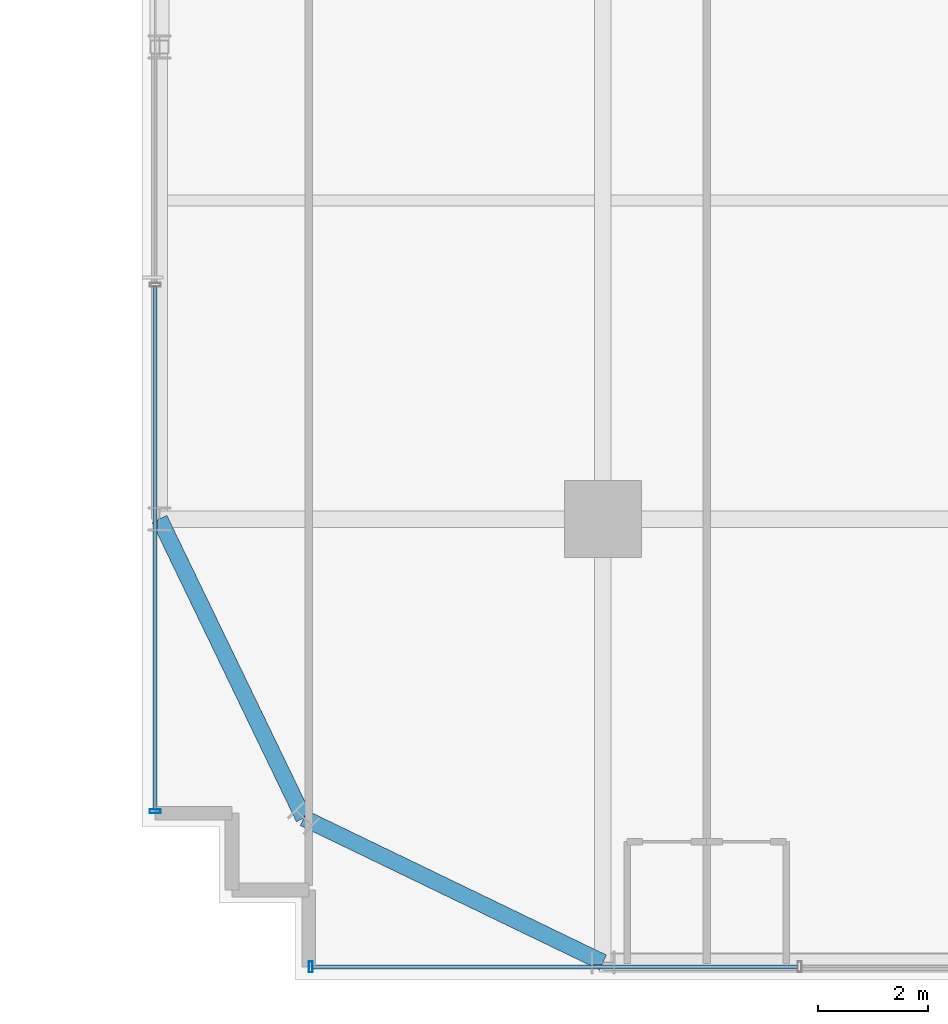
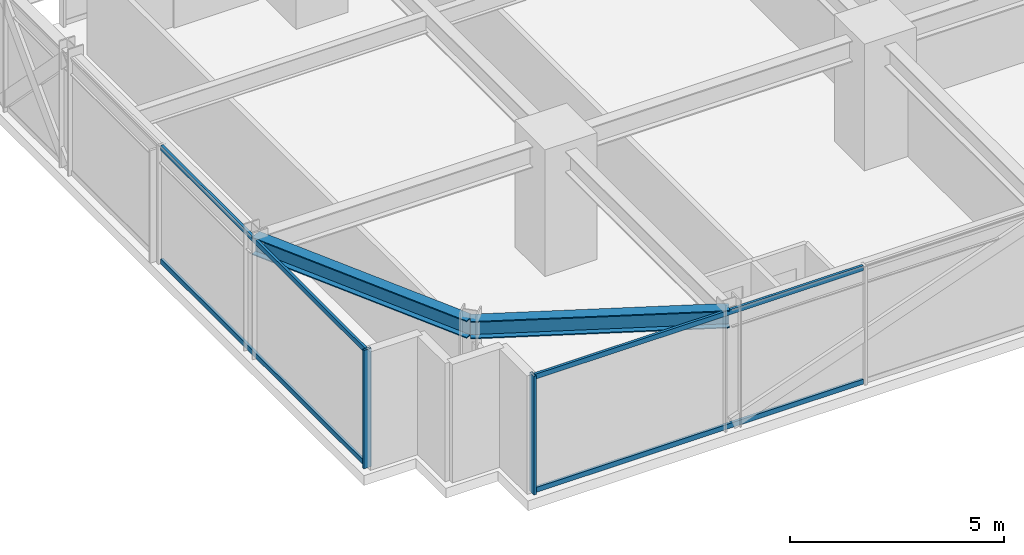
# One storey, part 3 of 42: 6 members, 2 beams, 2 elements without a shape of their own.
"""IFC4 building model written with IfcOpenShell, lengths in metres."""

import ifcopenshell
import ifcopenshell.guid

model = None  # the IFC model being written
_history = None  # IfcOwnerHistory: only IFC2X3 demands one
_inside = {}  # id of a spatial element -> (the spatial element, [elements in it])
_under = {}  # id of a project, library or spatial element -> (it, [spatial elements below it])
_declared = {}  # id of a project -> (the project, [libraries it declares])
_typed = {}  # id of a type object -> (the type object, [elements of that type])
_made_of = {}  # id of a material, layer set ... -> (it, [elements and type objects made of it])


def new_model(schema):
    """Start an empty IFC model of exactly this schema.

    Asked for "IFC4X3", IfcOpenShell would pick the latest addendum, in which some entities
    have other attributes; the version numbers below select the first issue.
    IFC2X3 requires an IfcOwnerHistory on every rooted entity: one is made here for all.
    """
    global model, _history
    if schema == "IFC4X3":
        model = ifcopenshell.file(schema_version=(4, 3, 0, 0))
    else:
        model = ifcopenshell.file(schema=schema)
    _inside.clear()
    _under.clear()
    _declared.clear()
    _typed.clear()
    _made_of.clear()
    _history = None
    if model.schema == "IFC2X3":
        org = make("IfcOrganization", Name="unknown")
        user = make(
            "IfcPersonAndOrganization",
            ThePerson=make("IfcPerson", FamilyName="unknown"),
            TheOrganization=org,
        )
        app = make(
            "IfcApplication",
            ApplicationDeveloper=org,
            Version="unknown",
            ApplicationFullName="unknown",
            ApplicationIdentifier="unknown",
        )
        _history = make(
            "IfcOwnerHistory",
            OwningUser=user,
            OwningApplication=app,
            ChangeAction="ADDED",
            CreationDate=0,
        )
    return model


def make(cls, **values):
    """One entity of the class cls with the attributes given. An attribute that is None is left unset."""
    return model.create_entity(
        cls, **{name: value for name, value in values.items() if value is not None}
    )


def rooted(cls, **values):
    """An entity with a GlobalId (a new one), such as an element, a storey or a relation."""
    return make(cls, GlobalId=ifcopenshell.guid.new(), OwnerHistory=_history, **values)


def si_unit(unit_type, name, prefix=None):
    """IfcSIUnit, for example si_unit("LENGTHUNIT", "METRE", prefix="MILLI")."""
    return make("IfcSIUnit", UnitType=unit_type, Prefix=prefix, Name=name)


def assignment(units):
    """IfcUnitAssignment: the units of a project."""
    return None if units is None else make("IfcUnitAssignment", Units=units)


def point(xyz):
    """IfcCartesianPoint."""
    return None if xyz is None else make("IfcCartesianPoint", Coordinates=xyz)


def direction(xyz):
    """IfcDirection."""
    return None if xyz is None else make("IfcDirection", DirectionRatios=xyz)


def frame(location, z_axis=None, x_axis=None):
    """IfcAxis2Placement3D, a coordinate frame: its origin and axes. An axis left out is left unset."""
    return make(
        "IfcAxis2Placement3D",
        Location=point(location),
        Axis=direction(z_axis),
        RefDirection=direction(x_axis),
    )


def frame_2d(location, x_axis=None):
    """IfcAxis2Placement2D, a coordinate frame in the plane: its origin and x axis."""
    return make(
        "IfcAxis2Placement2D", Location=point(location), RefDirection=direction(x_axis)
    )


def origin():
    """The frame at (0, 0, 0) with its axes left unset."""
    return frame((0.0, 0.0, 0.0))


def origin_2d():
    """The frame at (0, 0) in the plane with its x axis left unset."""
    return frame_2d((0.0, 0.0))


def place(relative_to, where):
    """IfcLocalPlacement: puts the frame where relative to a parent placement (None: the world)."""
    return make(
        "IfcLocalPlacement", PlacementRelTo=relative_to, RelativePlacement=where
    )


def context(
    kind, dimensions, precision=None, world=None, true_north=None, identifier=None
):
    """IfcGeometricRepresentationContext, for example the 3D "Model" context."""
    return make(
        "IfcGeometricRepresentationContext",
        ContextIdentifier=identifier,
        ContextType=kind,
        CoordinateSpaceDimension=dimensions,
        Precision=precision,
        WorldCoordinateSystem=world,
        TrueNorth=true_north,
    )


def subcontext(parent, identifier, kind, view, scale=None):
    """IfcGeometricRepresentationSubContext, for example "Body" below "Model"."""
    return make(
        "IfcGeometricRepresentationSubContext",
        ContextIdentifier=identifier,
        ContextType=kind,
        ParentContext=parent,
        TargetScale=scale,
        TargetView=view,
    )


def project(units=None, contexts=None):
    """IfcProject with its units and contexts."""
    return rooted(
        "IfcProject",
        Name="project",
        RepresentationContexts=contexts,
        UnitsInContext=assignment(units),
    )


def spatial(cls, under=None, at=None, **own):
    """A site, building, storey or space (cls), placed at a placement, below another one or the project."""
    s = rooted(cls, ObjectPlacement=at, **own)
    if under is not None:
        _under.setdefault(under.id(), (under, []))[1].append(s)
    return s


def profile(cls, at=None, kind="AREA", **sizes):
    """A parametric profile (cls). Its sizes go by their IFC names, for example OverallWidth=200.0."""
    return make(cls, ProfileType=kind, Position=at, **sizes)


def hollow_rectangle(**sizes):
    """IfcRectangleHollowProfileDef."""
    return profile("IfcRectangleHollowProfileDef", **sizes)


def i_section(**sizes):
    """IfcIShapeProfileDef."""
    return profile("IfcIShapeProfileDef", **sizes)


def extrude(swept, where, along, depth):
    """IfcExtrudedAreaSolid: the profile swept, set in the frame where, extruded along a direction by depth."""
    return make(
        "IfcExtrudedAreaSolid",
        SweptArea=swept,
        Position=where,
        ExtrudedDirection=direction(along),
        Depth=depth,
    )


def shape(context_of_items, identifier, shape_type, items):
    """IfcShapeRepresentation: the items that make up one representation, for example the "Body"."""
    return make(
        "IfcShapeRepresentation",
        ContextOfItems=context_of_items,
        RepresentationIdentifier=identifier,
        RepresentationType=shape_type,
        Items=items,
    )


def source(mapping_origin, context_of_items, identifier, shape_type, items):
    """IfcRepresentationMap: a shape defined once, which mapped items show again and again."""
    return make(
        "IfcRepresentationMap",
        MappingOrigin=mapping_origin,
        MappedRepresentation=shape(context_of_items, identifier, shape_type, items),
    )


def transform(
    local_origin,
    x_axis=None,
    y_axis=None,
    z_axis=None,
    scale=None,
    scale2=None,
    scale3=None,
    uniform=True,
):
    """IfcCartesianTransformationOperator3D, or its non-uniform kind. x_axis, y_axis, z_axis: its Axis1, 2, 3."""
    if uniform:
        return make(
            "IfcCartesianTransformationOperator3D",
            Axis1=direction(x_axis),
            Axis2=direction(y_axis),
            LocalOrigin=point(local_origin),
            Scale=scale,
            Axis3=direction(z_axis),
        )
    return make(
        "IfcCartesianTransformationOperator3DnonUniform",
        Axis1=direction(x_axis),
        Axis2=direction(y_axis),
        LocalOrigin=point(local_origin),
        Scale=scale,
        Axis3=direction(z_axis),
        Scale2=scale2,
        Scale3=scale3,
    )


def mapped(mapping_source, mapping_target):
    """IfcMappedItem: shows the shape of a source again, moved by a transform."""
    return make(
        "IfcMappedItem", MappingSource=mapping_source, MappingTarget=mapping_target
    )


def material(Name=None, Category=None):
    """IfcMaterial."""
    return make("IfcMaterial", Name=Name, Category=Category)


def material_profile(
    of_material, cross_section, Name=None, Category=None, Priority=None
):
    """IfcMaterialProfile: a cross section and its material."""
    return make(
        "IfcMaterialProfile",
        Name=Name,
        Material=of_material,
        Profile=cross_section,
        Priority=Priority,
        Category=Category,
    )


def profile_set(profiles, Name=None, composite=None):
    """IfcMaterialProfileSet."""
    return make(
        "IfcMaterialProfileSet",
        Name=Name,
        MaterialProfiles=profiles,
        CompositeProfile=composite,
    )


def made_of(thing, what):
    """Note that an element or type object is made of a material, layer set ...; save() writes the relation."""
    if what is not None:
        _made_of.setdefault(what.id(), (what, []))[1].append(thing)
    return thing


def type_object(cls, material=None, **own):
    """A type object (cls), such as IfcWallType, which elements share."""
    return made_of(rooted(cls, **own), material)


def element(
    cls,
    number,
    at=None,
    inside=None,
    cuts=None,
    type_object=None,
    material=None,
    context=None,
    identifier="Body",
    shape_type=None,
    held_by="IfcProductDefinitionShape",
    body=None,
    shapes=None,
    **own,
):
    """One element of the class cls, such as IfcWall. Its Tag is "e" and its number.

    at: its placement. inside: the storey or other place that contains it. cuts: it is an
    opening in that element (IfcRelVoidsElement). A single representation is given by context,
    identifier, shape_type and body (its items); several are given by shapes. held_by: the class
    of the entity that holds the representations. save() writes the other relations.
    """
    e = rooted(cls, Tag="e%d" % number, ObjectPlacement=at, **own)
    if body is not None:
        shapes = [shape(context, identifier, shape_type, body)]
    if shapes is not None:
        e.Representation = make(held_by, Representations=shapes)
    if inside is not None:
        _inside.setdefault(inside.id(), (inside, []))[1].append(e)
    if cuts is not None:
        rooted(
            "IfcRelVoidsElement", RelatingBuildingElement=cuts, RelatedOpeningElement=e
        )
    if type_object is not None:
        _typed.setdefault(type_object.id(), (type_object, []))[1].append(e)
    return made_of(e, material)


def aggregate(whole, parts):
    """IfcRelAggregates: a whole, such as a stair, and the parts it consists of."""
    return rooted("IfcRelAggregates", RelatingObject=whole, RelatedObjects=parts)


def save(model, path):
    """Write the relations noted so far, then the file.

    IfcRelAggregates (storeys below a building ...), IfcRelContainedInSpatialStructure (elements
    in a storey), IfcRelDefinesByType, IfcRelAssociatesMaterial and IfcRelDeclares: one each for
    every whole, place, type object, material and project.
    """
    for whole, parts in _under.values():
        aggregate(whole, parts)
    for where, things in _inside.values():
        rooted(
            "IfcRelContainedInSpatialStructure",
            RelatedElements=things,
            RelatingStructure=where,
        )
    for kind, things in _typed.values():
        rooted("IfcRelDefinesByType", RelatedObjects=things, RelatingType=kind)
    for what, things in _made_of.values():
        rooted("IfcRelAssociatesMaterial", RelatedObjects=things, RelatingMaterial=what)
    for by, libraries in _declared.values():
        rooted("IfcRelDeclares", RelatingContext=by, RelatedDefinitions=libraries)
    model.write(path)


model = new_model("IFC4")

# Units and contexts
model_context = context("Model", 3, precision=1e-05, world=origin(), true_north=direction((0.0, 1.0)))
body_context = subcontext(model_context, "Body", "Model", "MODEL_VIEW")
ifc_project = project(units=[si_unit("LENGTHUNIT", "METRE"), si_unit("AREAUNIT", "SQUARE_METRE"), si_unit("VOLUMEUNIT", "CUBIC_METRE"), si_unit("PLANEANGLEUNIT", "RADIAN"), si_unit("MASSUNIT", "GRAM", prefix="KILO")], contexts=[model_context])

# Site, building, storey
site_placement = place(None, origin())
site = spatial("IfcSite", under=ifc_project, at=site_placement, CompositionType="ELEMENT")
building_placement = place(site_placement, origin())
building = spatial("IfcBuilding", under=site, at=building_placement, Name="Nahalor Promenade Grand Hotel", CompositionType="ELEMENT")
storey_placement = place(building_placement, frame((0.0, 0.0, 61.60009765625)))
storey = spatial("IfcBuildingStorey", under=building, at=storey_placement, Name="L14", CompositionType="ELEMENT", Elevation=61.60009765625)

# Beams
ifc_material_1 = material(Name="Steel S355JR", Category="steel")
ifc_material_profile_1 = material_profile(ifc_material_1, i_section(OverallWidth=0.3, OverallDepth=0.5, WebThickness=0.0145, FlangeThickness=0.028, at=origin_2d()), Name="HEB 500")
ifc_profile_set_1 = profile_set([ifc_material_profile_1], Name="Steel S355JR")
beam_type = type_object("IfcBeamType", Name="Beam-Spandrel-HEB500", PredefinedType="SPANDREL", material=ifc_profile_set_1)
shared_shape_1 = source(origin(), body_context, "Body", "SweptSolid", [
    extrude(i_section(OverallWidth=0.3, OverallDepth=0.5, WebThickness=0.0145, FlangeThickness=0.028, at=origin_2d()), origin(), (0.0, 0.0, 1.0), 6.051513671875),
])
for number, where, z_axis, x_axis, name in (
    (1, (-17.0, -25.080078125, 3.119873046875), (-0.900608818852, 0.434630596492, 0.0), (-0.434630596492, -0.900608818852, 0.0), "BM-L14-SPC-SW-1"),
    (2, (-22.449951171875, -22.449951171875, 3.119873046875), (-0.434630596492, 0.900608818852, 0.0), (-0.900608818852, -0.434630596492, 0.0), "BM-L14-SPC-SW-2"),
):
    element("IfcBeam", number, at=place(storey_placement, frame(where, z_axis=z_axis, x_axis=x_axis)), inside=storey, type_object=beam_type, Name=name, PredefinedType="SPANDREL", context=body_context, shape_type="MappedRepresentation", body=[
        mapped(shared_shape_1, transform((0.0, 0.0, 0.0), scale=1.0)),
    ])

# Curtain wall, member
ifc_material_2 = material(Name="Anodised Bronze Aluminium EN AW-6063 T6", Category="aluminium")
curtain_wall_type = type_object("IfcCurtainWallType", Name="CW3 Elliptical-Void Collar Unitised Curtain Wall", PredefinedType="USERDEFINED", material=ifc_material_2)
curtain_wall_1_placement = place(storey_placement, origin())
curtain_wall_1 = element("IfcCurtainWall", 3, at=curtain_wall_1_placement, inside=storey, type_object=curtain_wall_type, Name="L14 Curtain Wall CW-L14-S-1", ObjectType="UNITISED_CURTAIN_WALL", PredefinedType="USERDEFINED")
ifc_material_profile_2 = material_profile(ifc_material_2, hollow_rectangle(XDim=0.07, YDim=0.2, WallThickness=0.005, at=origin_2d()), Name="CWM 70x200x5")
ifc_profile_set_2 = profile_set([ifc_material_profile_2], Name="Anodised Bronze Aluminium EN AW-6063 T6")
member_type_1 = type_object("IfcMemberType", Name="CWM3 Void Collar Mullion 70x200", PredefinedType="MULLION", material=ifc_profile_set_2)
shared_shape_2 = source(origin(), body_context, "Body", "SweptSolid", [
    extrude(hollow_rectangle(XDim=0.07, YDim=0.2, WallThickness=0.005, at=origin_2d()), origin(), (0.0, 0.0, 1.0), 3.369873046875),
])
member_1_placement = place(storey_placement, frame((-22.324951171875, -25.159912109375, 0.0), z_axis=(0.0, 0.0, 1.0), x_axis=(1.0, 0.0, 0.0)))
member_1 = element("IfcMember", 4, at=member_1_placement, type_object=member_type_1, Name="CW-L14-S-1 Mullion 0", PredefinedType="MULLION", context=body_context, shape_type="MappedRepresentation", body=[
    mapped(shared_shape_2, transform((0.0, 0.0, 0.0), scale=1.0)),
])

curtain_wall_2_placement = place(storey_placement, origin())
curtain_wall_2 = element("IfcCurtainWall", 5, at=curtain_wall_2_placement, inside=storey, type_object=curtain_wall_type, Name="L14 Curtain Wall CW-L14-W-1", ObjectType="UNITISED_CURTAIN_WALL", PredefinedType="USERDEFINED")
member_2_placement = place(storey_placement, frame((-25.159912109375, -22.324951171875, 0.0), z_axis=(0.0, 0.0, 1.0), x_axis=(0.0, 1.0, 0.0)))
member_2 = element("IfcMember", 6, at=member_2_placement, type_object=member_type_1, Name="CW-L14-W-1 Mullion 0", PredefinedType="MULLION", context=body_context, shape_type="MappedRepresentation", body=[
    mapped(shared_shape_2, transform((0.0, 0.0, 0.0), scale=1.0)),
])

# Member
ifc_material_profile_3 = material_profile(ifc_material_2, hollow_rectangle(XDim=0.07, YDim=0.14, WallThickness=0.004, at=origin_2d()), Name="CWT 70x140x4")
ifc_profile_set_3 = profile_set([ifc_material_profile_3], Name="Anodised Bronze Aluminium EN AW-6063 T6")
member_type_2 = type_object("IfcMemberType", Name="CWT3 Void Collar Transom 70x140", PredefinedType="USERDEFINED", material=ifc_profile_set_3)
shared_shape_3 = source(origin(), body_context, "Body", "SweptSolid", [
    extrude(hollow_rectangle(XDim=0.07, YDim=0.14, WallThickness=0.004, at=origin_2d()), origin(), (0.0, 0.0, 1.0), 8.839111328125),
])
member_3_placement = place(storey_placement, frame((-22.2900390625, -25.159912109375, 0.06982421875), z_axis=(1.0, 0.0, 0.0), x_axis=(0.0, 1.0, 0.0)))
member_3 = element("IfcMember", 7, at=member_3_placement, type_object=member_type_2, Name="CW-L14-S-1 Transom 0-0", ObjectType="TRANSOM", PredefinedType="USERDEFINED", context=body_context, shape_type="MappedRepresentation", body=[
    mapped(shared_shape_3, transform((0.0, 0.0, 0.0), scale=1.0)),
])

member_4_placement = place(storey_placement, frame((-22.2900390625, -25.159912109375, 3.2998046875), z_axis=(1.0, 0.0, 0.0), x_axis=(0.0, 1.0, 0.0)))
member_4 = element("IfcMember", 8, at=member_4_placement, type_object=member_type_2, Name="CW-L14-S-1 Transom 0-1", ObjectType="TRANSOM", PredefinedType="USERDEFINED", context=body_context, shape_type="MappedRepresentation", body=[
    mapped(shared_shape_3, transform((0.0, 0.0, 0.0), scale=1.0)),
])

aggregate(curtain_wall_1, [member_1, member_3, member_4])

shared_shape_4 = source(origin(), body_context, "Body", "SweptSolid", [
    extrude(hollow_rectangle(XDim=0.07, YDim=0.14, WallThickness=0.004, at=origin_2d()), origin(), (0.0, 0.0, 1.0), 9.525146484375),
])
member_5_placement = place(storey_placement, frame((-25.159912109375, -22.2900390625, 0.06982421875), z_axis=(0.0, 1.0, 0.0), x_axis=(-1.0, 0.0, 0.0)))
member_5 = element("IfcMember", 9, at=member_5_placement, type_object=member_type_2, Name="CW-L14-W-1 Transom 0-0", ObjectType="TRANSOM", PredefinedType="USERDEFINED", context=body_context, shape_type="MappedRepresentation", body=[
    mapped(shared_shape_4, transform((0.0, 0.0, 0.0), scale=1.0)),
])

member_6_placement = place(storey_placement, frame((-25.159912109375, -22.2900390625, 3.2998046875), z_axis=(0.0, 1.0, 0.0), x_axis=(-1.0, 0.0, 0.0)))
member_6 = element("IfcMember", 10, at=member_6_placement, type_object=member_type_2, Name="CW-L14-W-1 Transom 0-1", ObjectType="TRANSOM", PredefinedType="USERDEFINED", context=body_context, shape_type="MappedRepresentation", body=[
    mapped(shared_shape_4, transform((0.0, 0.0, 0.0), scale=1.0)),
])

aggregate(curtain_wall_2, [member_2, member_5, member_6])

save(model, "model.ifc")
